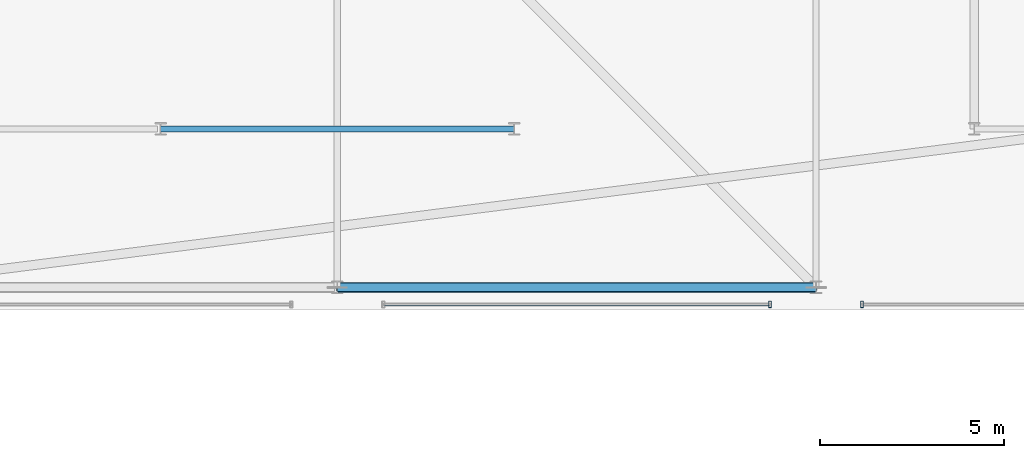
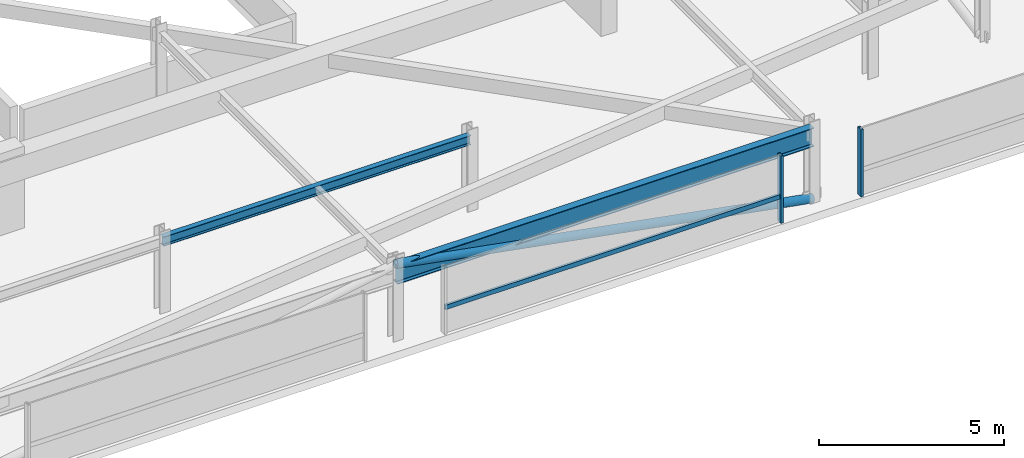
# One storey, part 29 of 42: 4 members, 2 beams, 2 elements without a shape of their own.
"""IFC4 building model written with IfcOpenShell, lengths in metres."""

import ifcopenshell
import ifcopenshell.guid

model = None  # the IFC model being written
_history = None  # IfcOwnerHistory: only IFC2X3 demands one
_inside = {}  # id of a spatial element -> (the spatial element, [elements in it])
_under = {}  # id of a project, library or spatial element -> (it, [spatial elements below it])
_declared = {}  # id of a project -> (the project, [libraries it declares])
_typed = {}  # id of a type object -> (the type object, [elements of that type])
_made_of = {}  # id of a material, layer set ... -> (it, [elements and type objects made of it])


def new_model(schema):
    """Start an empty IFC model of exactly this schema.

    Asked for "IFC4X3", IfcOpenShell would pick the latest addendum, in which some entities
    have other attributes; the version numbers below select the first issue.
    IFC2X3 requires an IfcOwnerHistory on every rooted entity: one is made here for all.
    """
    global model, _history
    if schema == "IFC4X3":
        model = ifcopenshell.file(schema_version=(4, 3, 0, 0))
    else:
        model = ifcopenshell.file(schema=schema)
    _inside.clear()
    _under.clear()
    _declared.clear()
    _typed.clear()
    _made_of.clear()
    _history = None
    if model.schema == "IFC2X3":
        org = make("IfcOrganization", Name="unknown")
        user = make(
            "IfcPersonAndOrganization",
            ThePerson=make("IfcPerson", FamilyName="unknown"),
            TheOrganization=org,
        )
        app = make(
            "IfcApplication",
            ApplicationDeveloper=org,
            Version="unknown",
            ApplicationFullName="unknown",
            ApplicationIdentifier="unknown",
        )
        _history = make(
            "IfcOwnerHistory",
            OwningUser=user,
            OwningApplication=app,
            ChangeAction="ADDED",
            CreationDate=0,
        )
    return model


def make(cls, **values):
    """One entity of the class cls with the attributes given. An attribute that is None is left unset."""
    return model.create_entity(
        cls, **{name: value for name, value in values.items() if value is not None}
    )


def rooted(cls, **values):
    """An entity with a GlobalId (a new one), such as an element, a storey or a relation."""
    return make(cls, GlobalId=ifcopenshell.guid.new(), OwnerHistory=_history, **values)


def si_unit(unit_type, name, prefix=None):
    """IfcSIUnit, for example si_unit("LENGTHUNIT", "METRE", prefix="MILLI")."""
    return make("IfcSIUnit", UnitType=unit_type, Prefix=prefix, Name=name)


def assignment(units):
    """IfcUnitAssignment: the units of a project."""
    return None if units is None else make("IfcUnitAssignment", Units=units)


def point(xyz):
    """IfcCartesianPoint."""
    return None if xyz is None else make("IfcCartesianPoint", Coordinates=xyz)


def direction(xyz):
    """IfcDirection."""
    return None if xyz is None else make("IfcDirection", DirectionRatios=xyz)


def frame(location, z_axis=None, x_axis=None):
    """IfcAxis2Placement3D, a coordinate frame: its origin and axes. An axis left out is left unset."""
    return make(
        "IfcAxis2Placement3D",
        Location=point(location),
        Axis=direction(z_axis),
        RefDirection=direction(x_axis),
    )


def frame_2d(location, x_axis=None):
    """IfcAxis2Placement2D, a coordinate frame in the plane: its origin and x axis."""
    return make(
        "IfcAxis2Placement2D", Location=point(location), RefDirection=direction(x_axis)
    )


def origin():
    """The frame at (0, 0, 0) with its axes left unset."""
    return frame((0.0, 0.0, 0.0))


def origin_2d():
    """The frame at (0, 0) in the plane with its x axis left unset."""
    return frame_2d((0.0, 0.0))


def place(relative_to, where):
    """IfcLocalPlacement: puts the frame where relative to a parent placement (None: the world)."""
    return make(
        "IfcLocalPlacement", PlacementRelTo=relative_to, RelativePlacement=where
    )


def context(
    kind, dimensions, precision=None, world=None, true_north=None, identifier=None
):
    """IfcGeometricRepresentationContext, for example the 3D "Model" context."""
    return make(
        "IfcGeometricRepresentationContext",
        ContextIdentifier=identifier,
        ContextType=kind,
        CoordinateSpaceDimension=dimensions,
        Precision=precision,
        WorldCoordinateSystem=world,
        TrueNorth=true_north,
    )


def subcontext(parent, identifier, kind, view, scale=None):
    """IfcGeometricRepresentationSubContext, for example "Body" below "Model"."""
    return make(
        "IfcGeometricRepresentationSubContext",
        ContextIdentifier=identifier,
        ContextType=kind,
        ParentContext=parent,
        TargetScale=scale,
        TargetView=view,
    )


def project(units=None, contexts=None):
    """IfcProject with its units and contexts."""
    return rooted(
        "IfcProject",
        Name="project",
        RepresentationContexts=contexts,
        UnitsInContext=assignment(units),
    )


def spatial(cls, under=None, at=None, **own):
    """A site, building, storey or space (cls), placed at a placement, below another one or the project."""
    s = rooted(cls, ObjectPlacement=at, **own)
    if under is not None:
        _under.setdefault(under.id(), (under, []))[1].append(s)
    return s


def profile(cls, at=None, kind="AREA", **sizes):
    """A parametric profile (cls). Its sizes go by their IFC names, for example OverallWidth=200.0."""
    return make(cls, ProfileType=kind, Position=at, **sizes)


def hollow_rectangle(**sizes):
    """IfcRectangleHollowProfileDef."""
    return profile("IfcRectangleHollowProfileDef", **sizes)


def hollow_circle(**sizes):
    """IfcCircleHollowProfileDef."""
    return profile("IfcCircleHollowProfileDef", **sizes)


def i_section(**sizes):
    """IfcIShapeProfileDef."""
    return profile("IfcIShapeProfileDef", **sizes)


def extrude(swept, where, along, depth):
    """IfcExtrudedAreaSolid: the profile swept, set in the frame where, extruded along a direction by depth."""
    return make(
        "IfcExtrudedAreaSolid",
        SweptArea=swept,
        Position=where,
        ExtrudedDirection=direction(along),
        Depth=depth,
    )


def shape(context_of_items, identifier, shape_type, items):
    """IfcShapeRepresentation: the items that make up one representation, for example the "Body"."""
    return make(
        "IfcShapeRepresentation",
        ContextOfItems=context_of_items,
        RepresentationIdentifier=identifier,
        RepresentationType=shape_type,
        Items=items,
    )


def material(Name=None, Category=None):
    """IfcMaterial."""
    return make("IfcMaterial", Name=Name, Category=Category)


def material_profile(
    of_material, cross_section, Name=None, Category=None, Priority=None
):
    """IfcMaterialProfile: a cross section and its material."""
    return make(
        "IfcMaterialProfile",
        Name=Name,
        Material=of_material,
        Profile=cross_section,
        Priority=Priority,
        Category=Category,
    )


def profile_set(profiles, Name=None, composite=None):
    """IfcMaterialProfileSet."""
    return make(
        "IfcMaterialProfileSet",
        Name=Name,
        MaterialProfiles=profiles,
        CompositeProfile=composite,
    )


def made_of(thing, what):
    """Note that an element or type object is made of a material, layer set ...; save() writes the relation."""
    if what is not None:
        _made_of.setdefault(what.id(), (what, []))[1].append(thing)
    return thing


def type_object(cls, material=None, **own):
    """A type object (cls), such as IfcWallType, which elements share."""
    return made_of(rooted(cls, **own), material)


def element(
    cls,
    number,
    at=None,
    inside=None,
    cuts=None,
    type_object=None,
    material=None,
    context=None,
    identifier="Body",
    shape_type=None,
    held_by="IfcProductDefinitionShape",
    body=None,
    shapes=None,
    **own,
):
    """One element of the class cls, such as IfcWall. Its Tag is "e" and its number.

    at: its placement. inside: the storey or other place that contains it. cuts: it is an
    opening in that element (IfcRelVoidsElement). A single representation is given by context,
    identifier, shape_type and body (its items); several are given by shapes. held_by: the class
    of the entity that holds the representations. save() writes the other relations.
    """
    e = rooted(cls, Tag="e%d" % number, ObjectPlacement=at, **own)
    if body is not None:
        shapes = [shape(context, identifier, shape_type, body)]
    if shapes is not None:
        e.Representation = make(held_by, Representations=shapes)
    if inside is not None:
        _inside.setdefault(inside.id(), (inside, []))[1].append(e)
    if cuts is not None:
        rooted(
            "IfcRelVoidsElement", RelatingBuildingElement=cuts, RelatedOpeningElement=e
        )
    if type_object is not None:
        _typed.setdefault(type_object.id(), (type_object, []))[1].append(e)
    return made_of(e, material)


def aggregate(whole, parts):
    """IfcRelAggregates: a whole, such as a stair, and the parts it consists of."""
    return rooted("IfcRelAggregates", RelatingObject=whole, RelatedObjects=parts)


def save(model, path):
    """Write the relations noted so far, then the file.

    IfcRelAggregates (storeys below a building ...), IfcRelContainedInSpatialStructure (elements
    in a storey), IfcRelDefinesByType, IfcRelAssociatesMaterial and IfcRelDeclares: one each for
    every whole, place, type object, material and project.
    """
    for whole, parts in _under.values():
        aggregate(whole, parts)
    for where, things in _inside.values():
        rooted(
            "IfcRelContainedInSpatialStructure",
            RelatedElements=things,
            RelatingStructure=where,
        )
    for kind, things in _typed.values():
        rooted("IfcRelDefinesByType", RelatedObjects=things, RelatingType=kind)
    for what, things in _made_of.values():
        rooted("IfcRelAssociatesMaterial", RelatedObjects=things, RelatingMaterial=what)
    for by, libraries in _declared.values():
        rooted("IfcRelDeclares", RelatingContext=by, RelatedDefinitions=libraries)
    model.write(path)


model = new_model("IFC4")

# Units and contexts
model_context = context("Model", 3, precision=1e-05, world=origin(), true_north=direction((0.0, 1.0)))
body_context = subcontext(model_context, "Body", "Model", "MODEL_VIEW")
ifc_project = project(units=[si_unit("LENGTHUNIT", "METRE"), si_unit("AREAUNIT", "SQUARE_METRE"), si_unit("VOLUMEUNIT", "CUBIC_METRE"), si_unit("PLANEANGLEUNIT", "RADIAN"), si_unit("MASSUNIT", "GRAM", prefix="KILO")], contexts=[model_context])

# Site, building, storey
site_placement = place(None, origin())
site = spatial("IfcSite", under=ifc_project, at=site_placement, CompositionType="ELEMENT")
building_placement = place(site_placement, origin())
building = spatial("IfcBuilding", under=site, at=building_placement, Name="Thornwick Lancets Civic Towers", CompositionType="ELEMENT")
storey_placement = place(building_placement, frame((0.0, 0.0, 286.800048828125)))
storey = spatial("IfcBuildingStorey", under=building, at=storey_placement, Name="C03", CompositionType="ELEMENT", Elevation=286.800048828125)

# Beams
ifc_material_1 = material(Name="Steel S355JR", Category="steel")
ifc_material_profile_1 = material_profile(ifc_material_1, i_section(OverallWidth=0.230224609375, OverallDepth=0.6171875, WebThickness=0.01318359375, FlangeThickness=0.022216796875, FilletRadius=0.0126953125, at=origin_2d()), Name="UKB 610x229x140")
ifc_profile_set_1 = profile_set([ifc_material_profile_1], Name="Steel S355JR")
beam_type_1 = type_object("IfcBeamType", Name="BM_GIRD_610_140", PredefinedType="BEAM", material=ifc_profile_set_1)
beam_1_placement = place(storey_placement, frame((101.5, 9.699951171875, 2.13134765625), z_axis=(-1.0, 0.0, 0.0), x_axis=(0.0, -1.0, 0.0)))
element("IfcBeam", 1, at=beam_1_placement, inside=storey, type_object=beam_type_1, Name="BM-SPINE-C03-B-9-10", PredefinedType="BEAM", context=body_context, shape_type="SweptSolid", body=[
    extrude(i_section(OverallWidth=0.230224609375, OverallDepth=0.6171875, WebThickness=0.01318359375, FlangeThickness=0.022216796875, FilletRadius=0.0126953125, at=origin_2d()), origin(), (0.0, 0.0, 1.0), 13.0),
])
ifc_material_profile_2 = material_profile(ifc_material_1, i_section(OverallWidth=0.1669921875, OverallDepth=0.310302734375, WebThickness=0.0078125, FlangeThickness=0.013671875, FilletRadius=0.0087890625, at=origin_2d()), Name="UKB 305x165x54")
ifc_profile_set_2 = profile_set([ifc_material_profile_2], Name="Steel S355JR")
beam_type_2 = type_object("IfcBeamType", Name="BM_LINTEL_305_54", PredefinedType="LINTEL", material=ifc_profile_set_2)
beam_2_placement = place(storey_placement, frame((93.300048828125, 14.0, 2.28466796875), z_axis=(-1.0, 0.0, 0.0), x_axis=(0.0, -1.0, 0.0)))
element("IfcBeam", 2, at=beam_2_placement, inside=storey, type_object=beam_type_2, Name="BM-INSP-C03-B-0-2", PredefinedType="LINTEL", context=body_context, shape_type="SweptSolid", body=[
    extrude(i_section(OverallWidth=0.1669921875, OverallDepth=0.310302734375, WebThickness=0.0078125, FlangeThickness=0.013671875, FilletRadius=0.0087890625, at=origin_2d()), origin(), (0.0, 0.0, 1.0), 9.60009765625),
])

# Curtain wall, member
ifc_material_2 = material(Name="Crown ring acoustic-louvre and glazing screen wall", Category="glass")
curtain_wall_type = type_object("IfcCurtainWallType", Name="CW_SYS_07", PredefinedType="NOTDEFINED", material=ifc_material_2)
curtain_wall_1_placement = place(storey_placement, origin())
curtain_wall_1 = element("IfcCurtainWall", 3, at=curtain_wall_1_placement, inside=storey, type_object=curtain_wall_type, Name="C03 Curtain Wall CW-C03-B-E0-S2", PredefinedType="NOTDEFINED")
ifc_material_3 = material(Name="Thermally broken bronze aluminium S355", Category="steel")
ifc_material_profile_3 = material_profile(ifc_material_3, hollow_rectangle(XDim=0.074951171875, YDim=0.179931640625, WallThickness=0.006103515625, at=origin_2d()), Name="RHS 180x75x6")
ifc_profile_set_3 = profile_set([ifc_material_profile_3], Name="Thermally broken bronze aluminium S355")
member_type_1 = type_object("IfcMemberType", Name="CW_MUL_180", PredefinedType="MULLION", material=ifc_profile_set_3)
member_1_placement = place(storey_placement, frame((100.25, 9.2353515625, 0.0), z_axis=(0.0, 0.0, 1.0), x_axis=(1.0, 0.0, 0.0)))
member_1 = element("IfcMember", 4, at=member_1_placement, type_object=member_type_1, Name="CW-C03-B-E0-S2 Mullion 1", PredefinedType="MULLION", context=body_context, shape_type="SweptSolid", body=[
    extrude(hollow_rectangle(XDim=0.074951171875, YDim=0.179931640625, WallThickness=0.006103515625, at=origin_2d()), origin(), (0.0, 0.0, 1.0), 2.219970703125),
])

curtain_wall_2_placement = place(storey_placement, origin())
curtain_wall_2 = element("IfcCurtainWall", 5, at=curtain_wall_2_placement, inside=storey, type_object=curtain_wall_type, Name="C03 Curtain Wall CW-C03-B-E0-S3", PredefinedType="NOTDEFINED")
member_2_placement = place(storey_placement, frame((102.75, 9.2353515625, 0.0), z_axis=(0.0, 0.0, 1.0), x_axis=(1.0, 0.0, 0.0)))
member_2 = element("IfcMember", 6, at=member_2_placement, type_object=member_type_1, Name="CW-C03-B-E0-S3 Mullion 0", PredefinedType="MULLION", context=body_context, shape_type="SweptSolid", body=[
    extrude(hollow_rectangle(XDim=0.074951171875, YDim=0.179931640625, WallThickness=0.006103515625, at=origin_2d()), origin(), (0.0, 0.0, 1.0), 2.219970703125),
])
aggregate(curtain_wall_2, [member_2])

# Member
ifc_material_profile_4 = material_profile(ifc_material_3, hollow_rectangle(XDim=0.074951171875, YDim=0.14990234375, WallThickness=0.0048828125, at=origin_2d()), Name="RHS 150x75x5")
ifc_profile_set_4 = profile_set([ifc_material_profile_4], Name="Thermally broken bronze aluminium S355")
member_type_2 = type_object("IfcMemberType", Name="CW_TRN_150", PredefinedType="USERDEFINED", material=ifc_profile_set_4)
member_3_placement = place(storey_placement, frame((89.77001953125, 9.2353515625, 0.849853515625), z_axis=(1.0, 0.0, 0.0), x_axis=(0.0, 1.0, 0.0)))
member_3 = element("IfcMember", 7, at=member_3_placement, type_object=member_type_2, Name="CW-C03-B-E0-S2 Transom 0", ObjectType="TRANSOM", PredefinedType="USERDEFINED", context=body_context, shape_type="SweptSolid", body=[
    extrude(hollow_rectangle(XDim=0.074951171875, YDim=0.14990234375, WallThickness=0.0048828125, at=origin_2d()), origin(), (0.0, 0.0, 1.0), 10.4599609375),
])

aggregate(curtain_wall_1, [member_1, member_3])

ifc_material_profile_5 = material_profile(ifc_material_1, hollow_circle(Radius=0.136474609375, WallThickness=0.012451171875, at=origin_2d()), Name="CHS 273x12.5")
ifc_profile_set_5 = profile_set([ifc_material_profile_5], Name="Steel S355JR")
member_type_3 = type_object("IfcMemberType", Name="MEM_CROWN_CHS273", PredefinedType="BRACE", material=ifc_profile_set_5)
member_4_placement = place(storey_placement, frame((101.5, 9.699951171875, 0.050048828125), z_axis=(-0.98351842104, 0.0, 0.180807951915), x_axis=(0.0, -1.0, 0.0)))
element("IfcMember", 8, at=member_4_placement, inside=storey, type_object=member_type_3, Name="C03 Crown Ring Lancet Rib B-S3-L", PredefinedType="BRACE", context=body_context, shape_type="SweptSolid", body=[
    extrude(hollow_circle(Radius=0.136474609375, WallThickness=0.012451171875, at=origin_2d()), origin(), (0.0, 0.0, 1.0), 13.2177734375),
])

save(model, "model.ifc")
